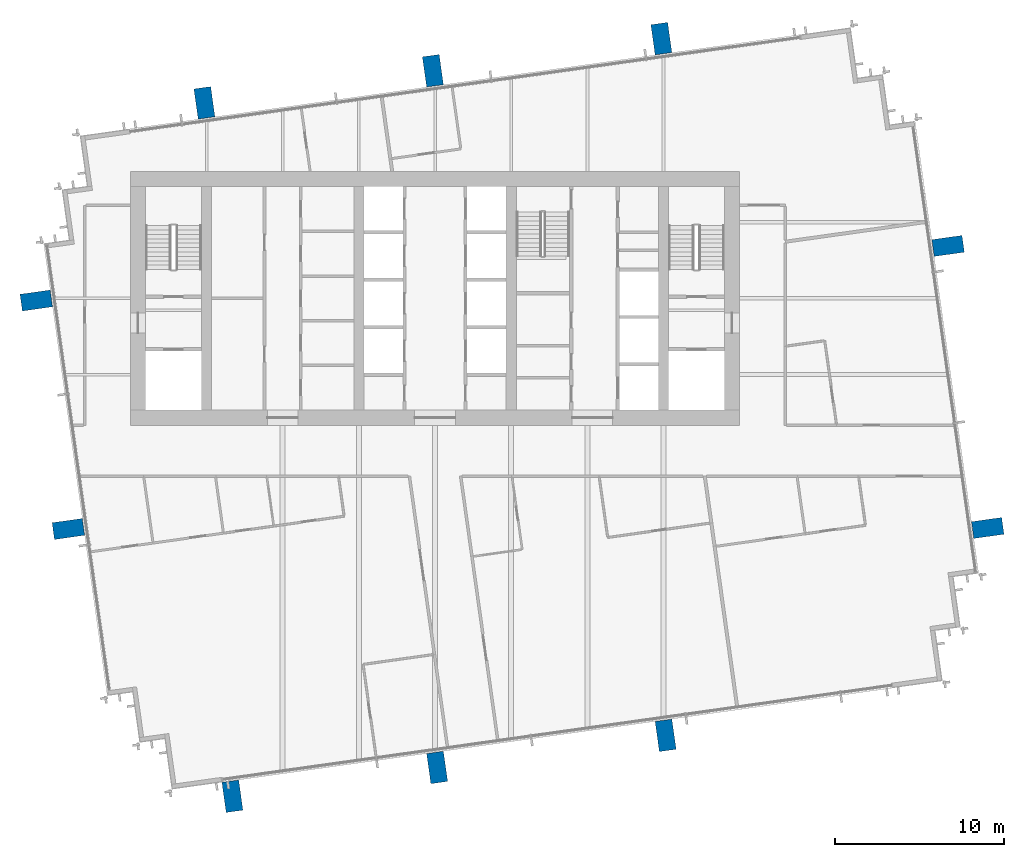
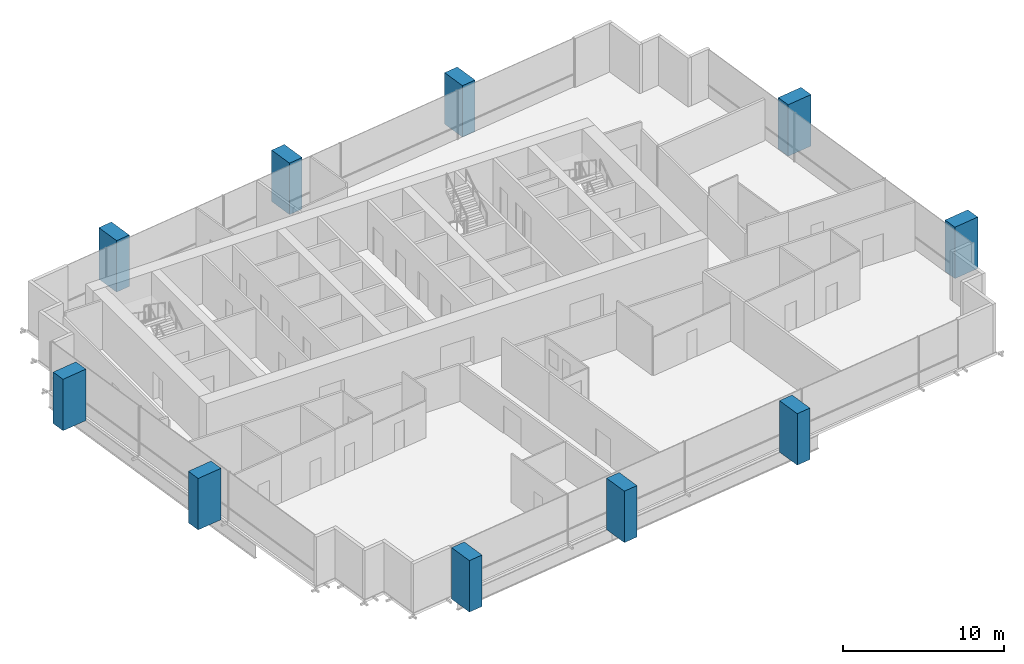
# One storey, part 1 of 14: 10 columns.
"""IFC4 building model written with IfcOpenShell, lengths in metres."""

from ifc_helpers import new_model, si_unit, direction, frame, origin, origin_2d, place, context, subcontext, project, spatial, rectangle, extrude, material, material_profile, profile_set, type_object, element, save


model = new_model("IFC4")

# Units and contexts
model_context = context("Model", 3, precision=1e-05, world=origin(), true_north=direction((0.0, 1.0)))
body_context = subcontext(model_context, "Body", "Model", "MODEL_VIEW")
ifc_project = project(units=[si_unit("LENGTHUNIT", "METRE"), si_unit("AREAUNIT", "SQUARE_METRE"), si_unit("VOLUMEUNIT", "CUBIC_METRE"), si_unit("PLANEANGLEUNIT", "RADIAN"), si_unit("MASSUNIT", "GRAM", prefix="KILO")], contexts=[model_context])

# Site, building, storey
site_placement = place(None, origin())
site = spatial("IfcSite", under=ifc_project, at=site_placement, CompositionType="ELEMENT")
building_placement = place(site_placement, origin())
building = spatial("IfcBuilding", under=site, at=building_placement, Name="Rattan Terrace Tower", CompositionType="ELEMENT")
storey_placement = place(building_placement, frame((0.0, 0.0, 229.10009765625)))
storey = spatial("IfcBuildingStorey", under=building, at=storey_placement, Name="L52", CompositionType="ELEMENT", Elevation=229.10009765625)

# Columns
ifc_material = material(Name="Concrete C40/50", Category="concrete")
ifc_material_profile = material_profile(ifc_material, rectangle(XDim=1.0, YDim=1.800048828125, at=origin_2d()), Name="CFT 1800x1000")
ifc_profile_set = profile_set([ifc_material_profile], Name="Concrete C40/50")
column_type = type_object("IfcColumnType", Name="Frame exoskeleton column CFT 1800x1000", PredefinedType="COLUMN", material=ifc_profile_set)
for number, where, z_axis, x_axis, name in (
    (1, (-11.970947265625, -29.416015625, -0.2001953125), (0.0, 0.0, 1.0), (0.990268068742, 0.13917310096, 0.0), "exo-L52-001"),
    (2, (0.125, -27.716064453125, -0.2001953125), (0.0, 0.0, 1.0), (0.990268068742, 0.13917310096, 0.0), "exo-L52-002"),
    (3, (13.625, -25.818115234375, -0.2001953125), (0.0, 0.0, 1.0), (0.990268068742, 0.13917310096, 0.0), "exo-L52-003"),
    (4, (-21.6630859375, -13.625, -0.2001953125), (0.0, 0.0, 1.0), (-0.139190384377, 0.990265639562, 0.0), "exo-L52-004"),
    (5, (32.657958984375, -13.56494140625, -0.2001953125), (0.0, 0.0, 1.0), (-0.139190384377, 0.990265639562, 0.0), "exo-L52-005"),
    (6, (-23.56103515625, -0.125, -0.2001953125), (0.0, 0.0, 1.0), (-0.139190384377, 0.990265639562, 0.0), "exo-L52-006"),
    (7, (30.31494140625, 3.10009765625, -0.2001953125), (0.0, 0.0, 1.0), (-0.139190384377, 0.990265639562, 0.0), "exo-L52-007"),
    (8, (-13.625, 11.552978515625, -0.2001953125), (0.0, 0.0, 1.0), (0.990268068742, 0.13917310096, 0.0), "exo-L52-008"),
    (9, (-0.125, 13.450927734375, -0.2001953125), (0.0, 0.0, 1.0), (0.990268068742, 0.13917310096, 0.0), "exo-L52-009"),
    (10, (13.375, 15.347900390625, -0.2001953125), (0.0, 0.0, 1.0), (0.990268068742, 0.13917310096, 0.0), "exo-L52-010"),
):
    element("IfcColumn", number, at=place(storey_placement, frame(where, z_axis=z_axis, x_axis=x_axis)), inside=storey, type_object=column_type, Name=name, PredefinedType="COLUMN", context=body_context, shape_type="SweptSolid", body=[
        extrude(rectangle(XDim=1.0, YDim=1.800048828125, at=origin_2d()), origin(), (0.0, 0.0, 1.0), 3.900146484375),
    ])

save(model, "model.ifc")
